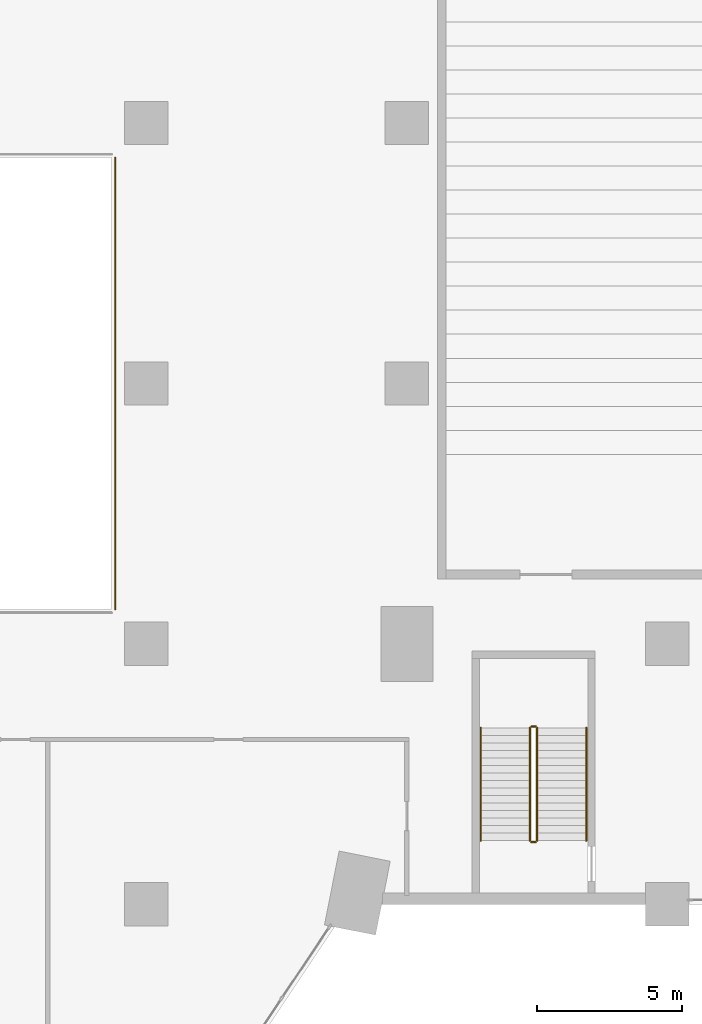
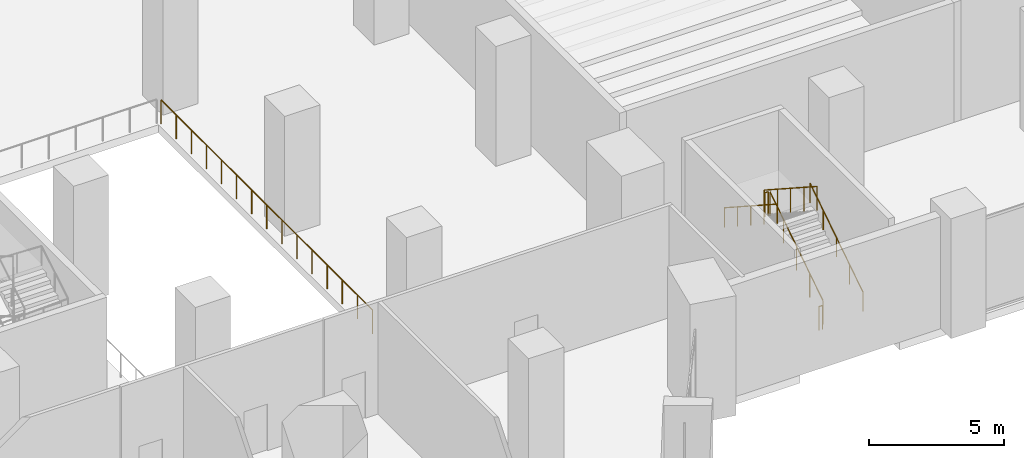
# One storey, part 32 of 44: 7 railings.
"""IFC4 building model written with IfcOpenShell, lengths in metres."""

from ifc_helpers import new_model, si_unit, direction, frame, origin, origin_2d, place, context, subcontext, project, spatial, circle, extrude, material, type_object, element, save


model = new_model("IFC4")

# Units and contexts
model_context = context("Model", 3, precision=1e-05, world=origin(), true_north=direction((0.0, 1.0)))
body_context = subcontext(model_context, "Body", "Model", "MODEL_VIEW")
ifc_project = project(units=[si_unit("LENGTHUNIT", "METRE"), si_unit("AREAUNIT", "SQUARE_METRE"), si_unit("VOLUMEUNIT", "CUBIC_METRE"), si_unit("PLANEANGLEUNIT", "RADIAN"), si_unit("MASSUNIT", "GRAM", prefix="KILO")], contexts=[model_context])

# Site, building, storey
site_placement = place(None, origin())
site = spatial("IfcSite", under=ifc_project, at=site_placement, CompositionType="ELEMENT")
building_placement = place(site_placement, origin())
building = spatial("IfcBuilding", under=site, at=building_placement, Name="Hunhe Ridgeline Campus", CompositionType="ELEMENT")
storey_placement = place(building_placement, frame((0.0, 0.0, 6.0)))
storey = spatial("IfcBuildingStorey", under=building, at=storey_placement, Name="L01", CompositionType="ELEMENT", Elevation=6.0)

# Railings
ifc_material_1 = material(Name="Glass and steel", Category="steel")
railing_type_1 = type_object("IfcRailingType", Name="Atrium glass guard 1100", PredefinedType="GUARDRAIL", material=ifc_material_1)
railing_1_placement = place(storey_placement, frame((34.919921875, 28.199951171875, 0.0)))
element("IfcRailing", 1, at=railing_1_placement, inside=storey, type_object=railing_type_1, Name="L01 atrium guard", PredefinedType="GUARDRAIL", context=body_context, shape_type="SweptSolid", body=[
    extrude(circle(Radius=0.02392578125, at=origin_2d()), frame((0.0, 0.0, 1.076171875), z_axis=(0.0, 1.0, 0.0), x_axis=(-1.0, 0.0, 0.0)), (0.0, 0.0, 1.0), 15.60009765625),
    extrude(circle(Radius=0.02099609375, at=origin_2d()), origin(), (0.0, 0.0, 1.0), 1.052001953125),
    extrude(circle(Radius=0.02099609375, at=origin_2d()), frame((0.0, 1.1142578125, 0.0)), (0.0, 0.0, 1.0), 1.052001953125),
    extrude(circle(Radius=0.02099609375, at=origin_2d()), frame((0.0, 2.228515625, 0.0)), (0.0, 0.0, 1.0), 1.052001953125),
    extrude(circle(Radius=0.02099609375, at=origin_2d()), frame((0.0, 3.3427734375, 0.0)), (0.0, 0.0, 1.0), 1.052001953125),
    extrude(circle(Radius=0.02099609375, at=origin_2d()), frame((0.0, 4.457275390625, 0.0)), (0.0, 0.0, 1.0), 1.052001953125),
    extrude(circle(Radius=0.02099609375, at=origin_2d()), frame((0.0, 5.571533203125, 0.0)), (0.0, 0.0, 1.0), 1.052001953125),
    extrude(circle(Radius=0.02099609375, at=origin_2d()), frame((0.0, 6.685791015625, 0.0)), (0.0, 0.0, 1.0), 1.052001953125),
    extrude(circle(Radius=0.02099609375, at=origin_2d()), frame((0.0, 7.800048828125, 0.0)), (0.0, 0.0, 1.0), 1.052001953125),
    extrude(circle(Radius=0.02099609375, at=origin_2d()), frame((0.0, 8.914306640625, 0.0)), (0.0, 0.0, 1.0), 1.052001953125),
    extrude(circle(Radius=0.02099609375, at=origin_2d()), frame((0.0, 10.028564453125, 0.0)), (0.0, 0.0, 1.0), 1.052001953125),
    extrude(circle(Radius=0.02099609375, at=origin_2d()), frame((0.0, 11.142822265625, 0.0)), (0.0, 0.0, 1.0), 1.052001953125),
    extrude(circle(Radius=0.02099609375, at=origin_2d()), frame((0.0, 12.25732421875, 0.0)), (0.0, 0.0, 1.0), 1.052001953125),
    extrude(circle(Radius=0.02099609375, at=origin_2d()), frame((0.0, 13.37158203125, 0.0)), (0.0, 0.0, 1.0), 1.052001953125),
    extrude(circle(Radius=0.02099609375, at=origin_2d()), frame((0.0, 14.48583984375, 0.0)), (0.0, 0.0, 1.0), 1.052001953125),
    extrude(circle(Radius=0.02099609375, at=origin_2d()), frame((0.0, 15.60009765625, 0.0)), (0.0, 0.0, 1.0), 1.052001953125),
])
ifc_material_2 = material(Name="Steel Q235", Category="steel")
railing_type_2 = type_object("IfcRailingType", Name="Podium stair guard 1100", PredefinedType="GUARDRAIL", material=ifc_material_2)
railing_2_placement = place(storey_placement, frame((49.5, 20.199951171875, 0.168701171875)))
element("IfcRailing", 2, at=railing_2_placement, inside=storey, type_object=railing_type_2, Name="L01 PS1 stair guard 1", PredefinedType="GUARDRAIL", context=body_context, shape_type="SweptSolid", body=[
    extrude(circle(Radius=0.02392578125, at=origin_2d()), frame((0.0, 0.0, 1.076171875), z_axis=(0.0, 0.838821308939, 0.544406843886), x_axis=(-1.0, 0.0, 0.0)), (0.0, 0.0, 1.0), 4.649658203125),
    extrude(circle(Radius=0.02099609375, at=origin_2d()), origin(), (0.0, 0.0, 1.0), 1.052001953125),
    extrude(circle(Radius=0.02099609375, at=origin_2d()), frame((0.0, 0.97509765625, 0.6328125)), (0.0, 0.0, 1.0), 1.052001953125),
    extrude(circle(Radius=0.02099609375, at=origin_2d()), frame((0.0, 1.9501953125, 1.265625)), (0.0, 0.0, 1.0), 1.052001953125),
    extrude(circle(Radius=0.02099609375, at=origin_2d()), frame((0.0, 2.925048828125, 1.8984375)), (0.0, 0.0, 1.0), 1.052001953125),
    extrude(circle(Radius=0.02099609375, at=origin_2d()), frame((0.0, 3.900146484375, 2.53125)), (0.0, 0.0, 1.0), 1.052001953125),
])
railing_3_placement = place(storey_placement, frame((49.449951171875, 24.14990234375, 2.699951171875)))
element("IfcRailing", 3, at=railing_3_placement, inside=storey, type_object=railing_type_2, Name="L01 PS1 stair guard 2", PredefinedType="GUARDRAIL", context=body_context, shape_type="SweptSolid", body=[
    extrude(circle(Radius=0.02392578125, at=origin_2d()), frame((0.0, 0.0, 1.076171875), z_axis=(-1.0, 0.0, 0.0), x_axis=(0.0, -1.0, 0.0)), (0.0, 0.0, 1.0), 0.14990234375),
    extrude(circle(Radius=0.02099609375, at=origin_2d()), origin(), (0.0, 0.0, 1.0), 1.052001953125),
    extrude(circle(Radius=0.02099609375, at=origin_2d()), frame((-0.14990234375, 0.0, 0.0)), (0.0, 0.0, 1.0), 1.052001953125),
])
railing_4_placement = place(storey_placement, frame((49.25, 24.10009765625, 2.86865234375)))
element("IfcRailing", 4, at=railing_4_placement, inside=storey, type_object=railing_type_2, Name="L01 PS1 stair guard 3", PredefinedType="GUARDRAIL", context=body_context, shape_type="SweptSolid", body=[
    extrude(circle(Radius=0.02392578125, at=origin_2d()), frame((0.0, 0.0, 1.076171875), z_axis=(0.0, -0.838821308939, 0.544406843886), x_axis=(1.0, 0.0, 0.0)), (0.0, 0.0, 1.0), 4.649658203125),
    extrude(circle(Radius=0.02099609375, at=origin_2d()), origin(), (0.0, 0.0, 1.0), 1.052001953125),
    extrude(circle(Radius=0.02099609375, at=origin_2d()), frame((0.0, -0.97509765625, 0.6328125)), (0.0, 0.0, 1.0), 1.052001953125),
    extrude(circle(Radius=0.02099609375, at=origin_2d()), frame((0.0, -1.9501953125, 1.265625)), (0.0, 0.0, 1.0), 1.052001953125),
    extrude(circle(Radius=0.02099609375, at=origin_2d()), frame((0.0, -2.925048828125, 1.8984375)), (0.0, 0.0, 1.0), 1.052001953125),
    extrude(circle(Radius=0.02099609375, at=origin_2d()), frame((0.0, -3.900146484375, 2.53125)), (0.0, 0.0, 1.0), 1.052001953125),
])
railing_5_placement = place(storey_placement, frame((49.449951171875, 20.14990234375, 0.0)))
element("IfcRailing", 5, at=railing_5_placement, inside=storey, type_object=railing_type_2, Name="L01 PS1 stair guard 4", PredefinedType="GUARDRAIL", context=body_context, shape_type="SweptSolid", body=[
    extrude(circle(Radius=0.02392578125, at=origin_2d()), frame((0.0, 0.0, 1.076171875), z_axis=(-1.0, 0.0, 0.0), x_axis=(0.0, -1.0, 0.0)), (0.0, 0.0, 1.0), 0.14990234375),
    extrude(circle(Radius=0.02099609375, at=origin_2d()), origin(), (0.0, 0.0, 1.0), 1.052001953125),
    extrude(circle(Radius=0.02099609375, at=origin_2d()), frame((-0.14990234375, 0.0, 0.0)), (0.0, 0.0, 1.0), 1.052001953125),
])
railing_type_3 = type_object("IfcRailingType", Name="Podium stair handrail", PredefinedType="HANDRAIL", material=ifc_material_2)
railing_6_placement = place(storey_placement, frame((51.199951171875, 20.199951171875, 0.168701171875)))
element("IfcRailing", 6, at=railing_6_placement, inside=storey, type_object=railing_type_3, Name="L01 PS1 stair handrail 1", PredefinedType="HANDRAIL", context=body_context, shape_type="SweptSolid", body=[
    extrude(circle(Radius=0.02392578125, at=origin_2d()), frame((0.0, 0.0, 0.8759765625), z_axis=(0.0, 0.838821308939, 0.544406843886), x_axis=(-1.0, 0.0, 0.0)), (0.0, 0.0, 1.0), 4.649658203125),
    extrude(circle(Radius=0.02099609375, at=origin_2d()), origin(), (0.0, 0.0, 1.0), 0.851806640625),
    extrude(circle(Radius=0.02099609375, at=origin_2d()), frame((0.0, 0.97509765625, 0.6328125)), (0.0, 0.0, 1.0), 0.851806640625),
    extrude(circle(Radius=0.02099609375, at=origin_2d()), frame((0.0, 1.9501953125, 1.265625)), (0.0, 0.0, 1.0), 0.851806640625),
    extrude(circle(Radius=0.02099609375, at=origin_2d()), frame((0.0, 2.925048828125, 1.8984375)), (0.0, 0.0, 1.0), 0.851806640625),
    extrude(circle(Radius=0.02099609375, at=origin_2d()), frame((0.0, 3.900146484375, 2.53125)), (0.0, 0.0, 1.0), 0.851806640625),
])
railing_7_placement = place(storey_placement, frame((47.550048828125, 24.10009765625, 2.86865234375)))
element("IfcRailing", 7, at=railing_7_placement, inside=storey, type_object=railing_type_3, Name="L01 PS1 stair handrail 2", PredefinedType="HANDRAIL", context=body_context, shape_type="SweptSolid", body=[
    extrude(circle(Radius=0.02392578125, at=origin_2d()), frame((0.0, 0.0, 0.8759765625), z_axis=(0.0, -0.838821308939, 0.544406843886), x_axis=(1.0, 0.0, 0.0)), (0.0, 0.0, 1.0), 4.649658203125),
    extrude(circle(Radius=0.02099609375, at=origin_2d()), origin(), (0.0, 0.0, 1.0), 0.851806640625),
    extrude(circle(Radius=0.02099609375, at=origin_2d()), frame((0.0, -0.97509765625, 0.6328125)), (0.0, 0.0, 1.0), 0.851806640625),
    extrude(circle(Radius=0.02099609375, at=origin_2d()), frame((0.0, -1.9501953125, 1.265625)), (0.0, 0.0, 1.0), 0.851806640625),
    extrude(circle(Radius=0.02099609375, at=origin_2d()), frame((0.0, -2.925048828125, 1.8984375)), (0.0, 0.0, 1.0), 0.851806640625),
    extrude(circle(Radius=0.02099609375, at=origin_2d()), frame((0.0, -3.900146484375, 2.53125)), (0.0, 0.0, 1.0), 0.851806640625),
])

save(model, "model.ifc")
